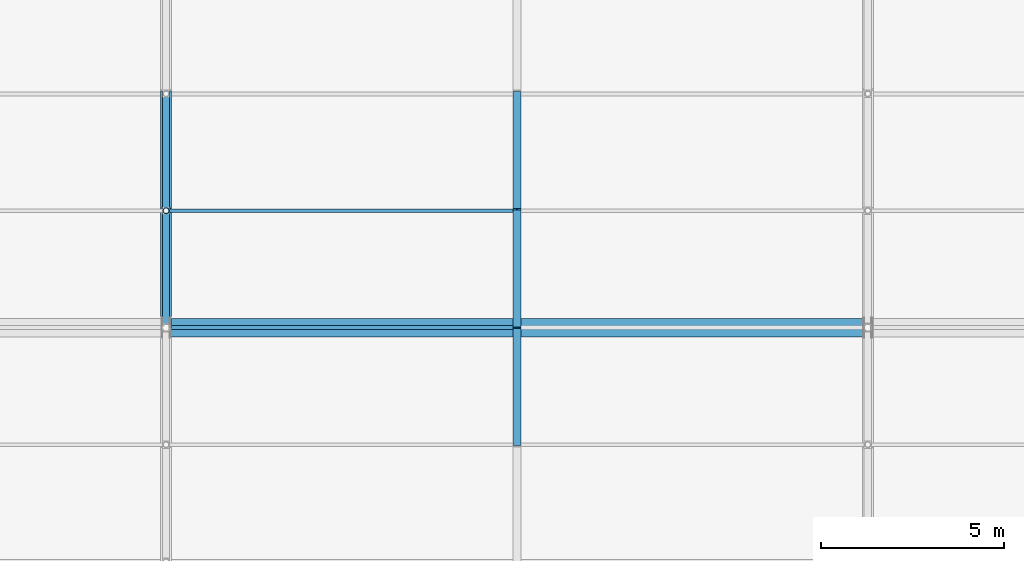
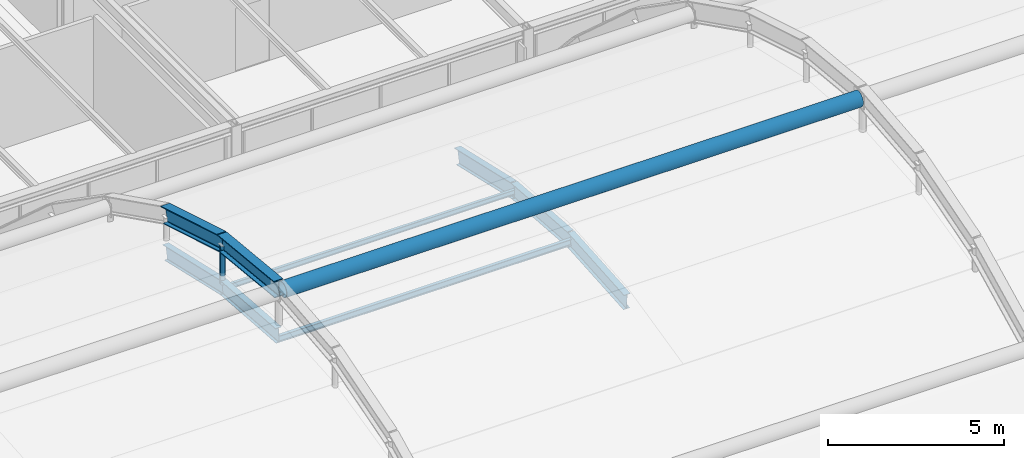
# One storey, part 57 of 126: 7 beams, 4 members.
"""IFC4 building model written with IfcOpenShell, lengths in metres."""

from ifc_helpers import new_model, si_unit, direction, frame, origin, origin_2d, place, context, subcontext, project, spatial, hollow_circle, i_section, extrude, material, material_profile, profile_set, type_object, element, save


model = new_model("IFC4")

# Units and contexts
model_context = context("Model", 3, precision=1e-05, world=origin(), true_north=direction((0.0, 1.0)))
body_context = subcontext(model_context, "Body", "Model", "MODEL_VIEW")
ifc_project = project(units=[si_unit("LENGTHUNIT", "METRE"), si_unit("AREAUNIT", "SQUARE_METRE"), si_unit("VOLUMEUNIT", "CUBIC_METRE"), si_unit("PLANEANGLEUNIT", "RADIAN"), si_unit("MASSUNIT", "GRAM", prefix="KILO")], contexts=[model_context])

# Site, building, storey
site_placement = place(None, origin())
site = spatial("IfcSite", under=ifc_project, at=site_placement, CompositionType="ELEMENT")
building_placement = place(site_placement, origin())
building = spatial("IfcBuilding", under=site, at=building_placement, Name="Coralgate Yard Interchange", CompositionType="ELEMENT")
storey_placement = place(building_placement, frame((0.0, 0.0, 10.5)))
storey = spatial("IfcBuildingStorey", under=building, at=storey_placement, Name="L02", CompositionType="ELEMENT", Elevation=10.5)

# Beams
ifc_material_1 = material(Name="Yellow-ochre weather-coated structural steel S355J2", Category="steel")
ifc_material_profile_1 = material_profile(ifc_material_1, i_section(OverallWidth=0.300048828125, OverallDepth=0.550048828125, WebThickness=0.014892578125, FlangeThickness=0.029052734375, FilletRadius=0.027099609375, at=origin_2d()), Name="HEB 550")
ifc_profile_set_1 = profile_set([ifc_material_profile_1], Name="Yellow-ochre weather-coated structural steel S355J2")
beam_type_1 = type_object("IfcBeamType", Name="BM-AR-2", PredefinedType="BEAM", material=ifc_profile_set_1)
beam_1_placement = place(storey_placement, frame((67.199951171875, 57.60009765625, 13.199951171875), z_axis=(0.0, 0.995057464429, -0.099300767794), x_axis=(-1.0, 0.0, 0.0)))
element("IfcBeam", 1, at=beam_1_placement, inside=storey, type_object=beam_type_1, Name="Yellow-ochre overarching steel arch AR-2 chord 8", PredefinedType="BEAM", context=body_context, shape_type="SweptSolid", body=[
    extrude(i_section(OverallWidth=0.300048828125, OverallDepth=0.550048828125, WebThickness=0.014892578125, FlangeThickness=0.029052734375, FilletRadius=0.027099609375, at=origin_2d()), origin(), (0.0, 0.0, 1.0), 3.2158203125),
])
beam_2_placement = place(storey_placement, frame((67.199951171875, 60.800048828125, 12.880615234375), z_axis=(0.0, 0.957948903279, -0.286938841403), x_axis=(-1.0, 0.0, 0.0)))
element("IfcBeam", 2, at=beam_2_placement, inside=storey, type_object=beam_type_1, Name="Yellow-ochre overarching steel arch AR-2 chord 9", PredefinedType="BEAM", context=body_context, shape_type="SweptSolid", body=[
    extrude(i_section(OverallWidth=0.300048828125, OverallDepth=0.550048828125, WebThickness=0.014892578125, FlangeThickness=0.029052734375, FilletRadius=0.027099609375, at=origin_2d()), origin(), (0.0, 0.0, 1.0), 3.34033203125),
])
ifc_material_2 = material(Name="Weather-coated structural steel S355J2", Category="steel")
ifc_material_profile_2 = material_profile(ifc_material_2, i_section(OverallWidth=0.209228515625, OverallDepth=0.533203125, WebThickness=0.010009765625, FlangeThickness=0.015625, FilletRadius=0.0126953125, at=origin_2d()), Name="UB 533x210x92")
ifc_profile_set_2 = profile_set([ifc_material_profile_2], Name="Weather-coated structural steel S355J2")
beam_type_2 = type_object("IfcBeamType", Name="BM-VR-1", PredefinedType="BEAM", material=ifc_profile_set_2)
beam_3_placement = place(storey_placement, frame((76.800048828125, 54.39990234375, 11.31884765625), z_axis=(0.0, 0.997211212266, 0.074631080198), x_axis=(-1.0, 0.0, 0.0)))
element("IfcBeam", 3, at=beam_3_placement, inside=storey, type_object=beam_type_2, Name="Barrel-vault gridshell rib 5 seg 6", PredefinedType="BEAM", context=body_context, shape_type="SweptSolid", body=[
    extrude(i_section(OverallWidth=0.209228515625, OverallDepth=0.533203125, WebThickness=0.010009765625, FlangeThickness=0.015625, FilletRadius=0.0126953125, at=origin_2d()), origin(), (0.0, 0.0, 1.0), 3.209228515625),
])
beam_4_placement = place(storey_placement, frame((76.800048828125, 57.60009765625, 11.558349609375), z_axis=(0.0, 0.997210788487, -0.074636742466), x_axis=(-1.0, 0.0, 0.0)))
element("IfcBeam", 4, at=beam_4_placement, inside=storey, type_object=beam_type_2, Name="Barrel-vault gridshell rib 5 seg 7", PredefinedType="BEAM", context=body_context, shape_type="SweptSolid", body=[
    extrude(i_section(OverallWidth=0.209228515625, OverallDepth=0.533203125, WebThickness=0.010009765625, FlangeThickness=0.015625, FilletRadius=0.0126953125, at=origin_2d()), origin(), (0.0, 0.0, 1.0), 3.208984375),
])
beam_5_placement = place(storey_placement, frame((76.800048828125, 60.800048828125, 11.31884765625), z_axis=(0.0, 0.974597563071, -0.223963367664), x_axis=(-1.0, 0.0, 0.0)))
element("IfcBeam", 5, at=beam_5_placement, inside=storey, type_object=beam_type_2, Name="Barrel-vault gridshell rib 5 seg 8", PredefinedType="BEAM", context=body_context, shape_type="SweptSolid", body=[
    extrude(i_section(OverallWidth=0.209228515625, OverallDepth=0.533203125, WebThickness=0.010009765625, FlangeThickness=0.015625, FilletRadius=0.0126953125, at=origin_2d()), origin(), (0.0, 0.0, 1.0), 3.283447265625),
])
ifc_material_profile_3 = material_profile(ifc_material_2, i_section(OverallWidth=0.199951171875, OverallDepth=0.5, WebThickness=0.01025390625, FlangeThickness=0.01611328125, FilletRadius=0.02099609375, at=origin_2d()), Name="IPE 500")
ifc_profile_set_3 = profile_set([ifc_material_profile_3], Name="Weather-coated structural steel S355J2")
beam_type_3 = type_object("IfcBeamType", Name="BM-VR-2", PredefinedType="BEAM", material=ifc_profile_set_3)
beam_6_placement = place(storey_placement, frame((67.199951171875, 57.60009765625, 11.57470703125), z_axis=(0.0, 0.997210788487, -0.074636742466), x_axis=(-1.0, 0.0, 0.0)))
element("IfcBeam", 6, at=beam_6_placement, inside=storey, type_object=beam_type_3, Name="Barrel-vault gridshell rib 4 seg 7", PredefinedType="BEAM", context=body_context, shape_type="SweptSolid", body=[
    extrude(i_section(OverallWidth=0.199951171875, OverallDepth=0.5, WebThickness=0.01025390625, FlangeThickness=0.01611328125, FilletRadius=0.02099609375, at=origin_2d()), origin(), (0.0, 0.0, 1.0), 3.208984375),
])
beam_7_placement = place(storey_placement, frame((67.199951171875, 60.800048828125, 11.335205078125), z_axis=(0.0, 0.974613791, -0.22389273859), x_axis=(-1.0, 0.0, 0.0)))
element("IfcBeam", 7, at=beam_7_placement, inside=storey, type_object=beam_type_3, Name="Barrel-vault gridshell rib 4 seg 8", PredefinedType="BEAM", context=body_context, shape_type="SweptSolid", body=[
    extrude(i_section(OverallWidth=0.199951171875, OverallDepth=0.5, WebThickness=0.01025390625, FlangeThickness=0.01611328125, FilletRadius=0.02099609375, at=origin_2d()), origin(), (0.0, 0.0, 1.0), 3.283203125),
])

# Members
ifc_material_profile_4 = material_profile(ifc_material_1, hollow_circle(Radius=0.25390625, WallThickness=0.02001953125, at=origin_2d()), Name="CHS 508x20")
ifc_profile_set_4 = profile_set([ifc_material_profile_4], Name="Yellow-ochre weather-coated structural steel S355J2")
member_type_1 = type_object("IfcMemberType", Name="MB-GC-6", PredefinedType="CHORD", material=ifc_profile_set_4)
member_1_placement = place(storey_placement, frame((67.320068359375, 57.60009765625, 13.1201171875), z_axis=(1.0, 0.0, 0.0), x_axis=(0.0, 1.0, 0.0)))
element("IfcMember", 8, at=member_1_placement, inside=storey, type_object=member_type_1, Name="Arch longitudinal tie strut 2-C", PredefinedType="CHORD", context=body_context, shape_type="SweptSolid", body=[
    extrude(hollow_circle(Radius=0.25390625, WallThickness=0.02001953125, at=origin_2d()), origin(), (0.0, 0.0, 1.0), 18.9599609375),
])
ifc_material_profile_5 = material_profile(ifc_material_1, hollow_circle(Radius=0.084228515625, WallThickness=0.008056640625, at=origin_2d()), Name="CHS 168.3x8")
ifc_profile_set_5 = profile_set([ifc_material_profile_5], Name="Yellow-ochre weather-coated structural steel S355J2")
member_type_2 = type_object("IfcMemberType", Name="MB-HG-2", PredefinedType="STRUT", material=ifc_profile_set_5)
member_2_placement = place(storey_placement, frame((67.199951171875, 60.800048828125, 11.435302734375), z_axis=(0.0, 0.0, 1.0), x_axis=(1.0, 0.0, 0.0)))
element("IfcMember", 9, at=member_2_placement, inside=storey, type_object=member_type_2, Name="Arch AR-2 steel suspension hanger 7", PredefinedType="STRUT", context=body_context, shape_type="SweptSolid", body=[
    extrude(hollow_circle(Radius=0.084228515625, WallThickness=0.008056640625, at=origin_2d()), origin(), (0.0, 0.0, 1.0), 1.34521484375),
])
ifc_material_profile_6 = material_profile(ifc_material_2, i_section(OverallWidth=0.110107421875, OverallDepth=0.219970703125, WebThickness=0.005859375, FlangeThickness=0.00927734375, FilletRadius=0.011962890625, at=origin_2d()), Name="IPE 220")
ifc_profile_set_6 = profile_set([ifc_material_profile_6], Name="Weather-coated structural steel S355J2")
member_type_3 = type_object("IfcMemberType", Name="MB-PR-1", PredefinedType="PURLIN", material=ifc_profile_set_6)
member_3_placement = place(storey_placement, frame((67.201904296875, 57.60009765625, 11.46484375), z_axis=(1.0, 0.0, 0.0), x_axis=(0.0, 1.0, 0.0)))
element("IfcMember", 10, at=member_3_placement, inside=storey, type_object=member_type_3, Name="Barrel-vault gridshell purlin 4-7", PredefinedType="PURLIN", context=body_context, shape_type="SweptSolid", body=[
    extrude(i_section(OverallWidth=0.110107421875, OverallDepth=0.219970703125, WebThickness=0.005859375, FlangeThickness=0.00927734375, FilletRadius=0.011962890625, at=origin_2d()), origin(), (0.0, 0.0, 1.0), 9.59619140625),
])
ifc_material_3 = material(Name="Off-white architectural structural steel S355J2", Category="steel")
ifc_material_profile_7 = material_profile(ifc_material_3, i_section(OverallWidth=0.091064453125, OverallDepth=0.179931640625, WebThickness=0.00537109375, FlangeThickness=0.008056640625, FilletRadius=0.009033203125, at=origin_2d()), Name="IPE 180")
ifc_profile_set_7 = profile_set([ifc_material_profile_7], Name="Off-white architectural structural steel S355J2")
member_type_4 = type_object("IfcMemberType", Name="MB-PR-2", PredefinedType="PURLIN", material=ifc_profile_set_7)
member_4_placement = place(storey_placement, frame((67.201904296875, 60.800048828125, 11.265380859375), z_axis=(1.0, 0.0, 0.0), x_axis=(0.0, 1.0, 0.0)))
element("IfcMember", 11, at=member_4_placement, inside=storey, type_object=member_type_4, Name="Barrel-vault gridshell purlin 4-8", PredefinedType="PURLIN", context=body_context, shape_type="SweptSolid", body=[
    extrude(i_section(OverallWidth=0.091064453125, OverallDepth=0.179931640625, WebThickness=0.00537109375, FlangeThickness=0.008056640625, FilletRadius=0.009033203125, at=origin_2d()), origin(), (0.0, 0.0, 1.0), 9.59619140625),
])

save(model, "model.ifc")
